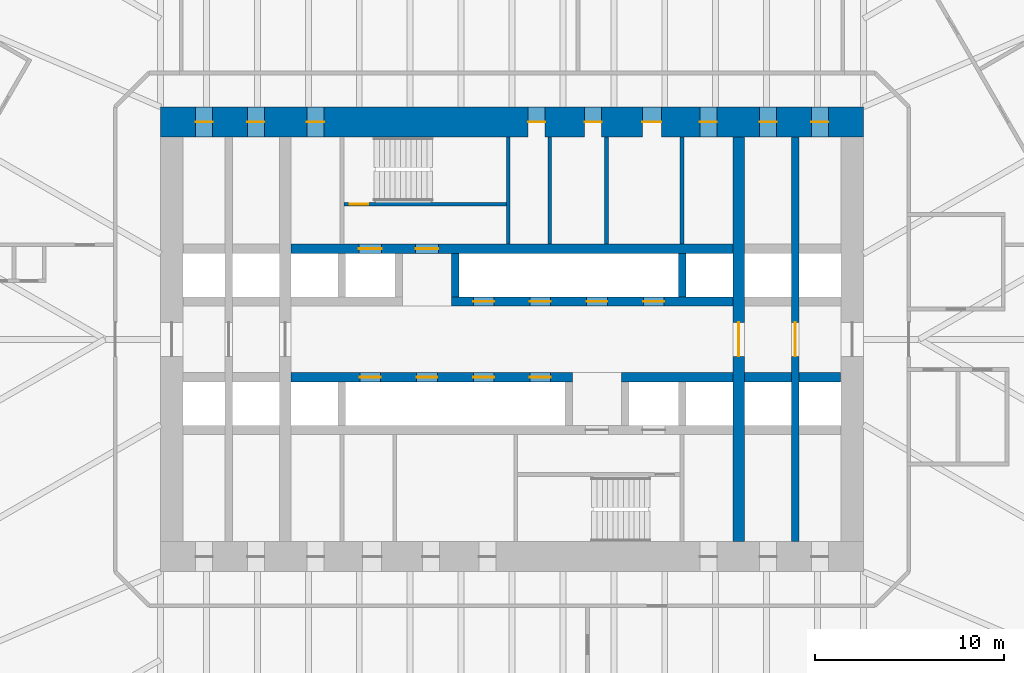
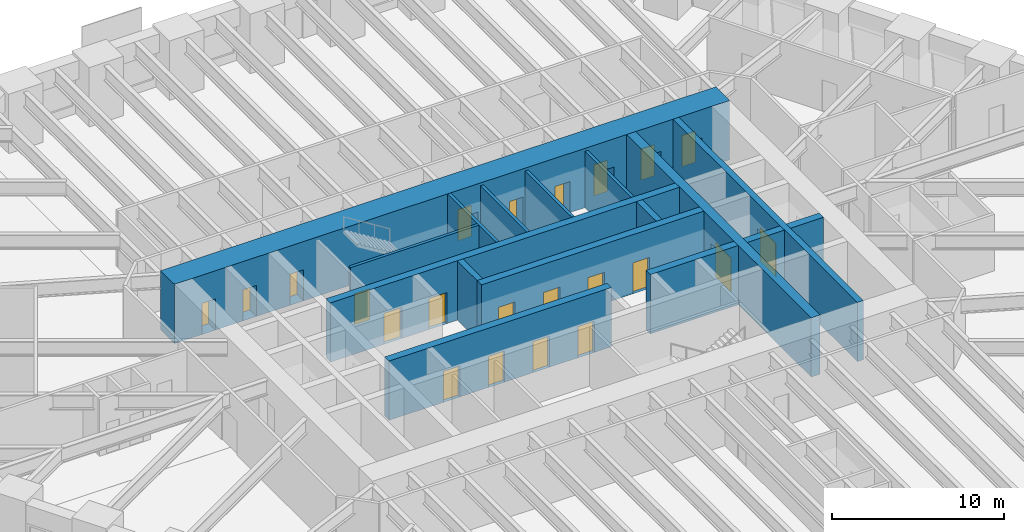
# One storey, part 18 of 23: 22 doors, 16 walls, 22 openings.
"""IFC4 building model written with IfcOpenShell, lengths in metres."""

from ifc_helpers import new_model, si_unit, direction, frame, frame_2d, origin, place, context, subcontext, project, spatial, rectangle, extrude, material, layer, layer_set, type_object, element, fill, save


model = new_model("IFC4")

# Units and contexts
model_context = context("Model", 3, precision=1e-05, world=origin(), true_north=direction((0.0, 1.0)))
body_context = subcontext(model_context, "Body", "Model", "MODEL_VIEW")
ifc_project = project(units=[si_unit("LENGTHUNIT", "METRE"), si_unit("AREAUNIT", "SQUARE_METRE"), si_unit("VOLUMEUNIT", "CUBIC_METRE"), si_unit("PLANEANGLEUNIT", "RADIAN"), si_unit("MASSUNIT", "GRAM", prefix="KILO")], contexts=[model_context])

# Site, building, storey
site_placement = place(None, origin())
site = spatial("IfcSite", under=ifc_project, at=site_placement, CompositionType="ELEMENT")
building_placement = place(site_placement, origin())
building = spatial("IfcBuilding", under=site, at=building_placement, Name="Tarfa Lantern Tower", CompositionType="ELEMENT")
storey_placement = place(building_placement, frame((0.0, 0.0, 40.300048828125)))
storey = spatial("IfcBuildingStorey", under=building, at=storey_placement, Name="L08", CompositionType="ELEMENT", Elevation=40.300048828125)

# Walls
ifc_material_1 = material(Name="Concrete blockwork", Category="masonry")
ifc_layer_1 = layer(ifc_material_1, 0.199951171875)
ifc_layer_set_1 = layer_set([ifc_layer_1], Name="IW1 BLOCKWORK PARTITION 200 EI 120")
wall_type_1 = type_object("IfcWallType", Name="IW1 BLOCKWORK PARTITION 200 EI 120", PredefinedType="PARTITIONING", material=ifc_layer_set_1)
for number, where, z_axis, x_axis, name in (
    (1, (9.0, 5.050048828125, 0.0), (0.0, 0.0, 1.0), (0.0, 1.0, 0.0), "Core partition"),
    (2, (2.0, 5.050048828125, 0.0), (0.0, 0.0, 1.0), (0.0, 1.0, 0.0), "Core partition"),
    (3, (5.0, 5.050048828125, 0.0), (0.0, 0.0, 1.0), (0.0, 1.0, 0.0), "Core partition"),
):
    element("IfcWall", number, at=place(storey_placement, frame(where, z_axis=z_axis, x_axis=x_axis)), inside=storey, type_object=wall_type_1, Name=name, PredefinedType="PARTITIONING", context=body_context, shape_type="SweptSolid", body=[
        extrude(rectangle(XDim=5.64990234375, YDim=0.199951171875, at=frame_2d((2.824951171875, 0.0))), origin(), (0.0, 0.0, 1.0), 4.0),
    ])
ifc_material_2 = material(Name="Concrete C80/95", Category="concrete")
ifc_layer_2 = layer(ifc_material_2, 0.199951171875)
ifc_layer_set_2 = layer_set([ifc_layer_2], Name="SW12 CORE WALL 200")
wall_type_2 = type_object("IfcWallType", Name="SW12 CORE WALL 200", PredefinedType="SHEAR", material=ifc_layer_set_2)
wall_1_placement = place(storey_placement, frame((-0.199951171875, 5.050048828125, 0.0), z_axis=(0.0, 0.0, 1.0), x_axis=(0.0, 1.0, 0.0)))
element("IfcWall", 4, at=wall_1_placement, inside=storey, type_object=wall_type_2, Name="Core wall stair shaft N", PredefinedType="SHEAR", context=body_context, shape_type="SweptSolid", body=[
    extrude(rectangle(XDim=5.64990234375, YDim=0.199951171875, at=frame_2d((2.824951171875, 0.0))), origin(), (0.0, 0.0, 1.0), 4.199951171875),
])

# Wall, opening, door
wall_2_placement = place(storey_placement, frame((-8.89990234375, 7.14990234375, 0.0), z_axis=(0.0, 0.0, 1.0), x_axis=(1.0, 0.0, 0.0)))
wall_2 = element("IfcWall", 5, at=wall_2_placement, inside=storey, type_object=wall_type_2, Name="Core wall stair partition N", PredefinedType="SHEAR", context=body_context, shape_type="SweptSolid", body=[
    extrude(rectangle(XDim=8.599853515625, YDim=0.199951171875, at=frame_2d((4.2998046875, 0.0))), origin(), (0.0, 0.0, 1.0), 4.199951171875),
])
opening_1_placement = place(wall_2_placement, frame((0.300048828125, 0.0, 0.0)))
opening_1 = element("IfcOpeningElement", 6, at=opening_1_placement, cuts=wall_2, Name="Opening D23", PredefinedType="OPENING", context=body_context, shape_type="SweptSolid", body=[
    extrude(rectangle(XDim=1.0, YDim=2.199951171875, at=frame_2d((0.5, 1.10009765625))), frame((0.0, 0.10986328125, 0.0), z_axis=(0.0, -1.0, 0.0), x_axis=(1.0, 0.0, 0.0)), (0.0, 0.0, 1.0), 0.219970703125),
])
ifc_material_3 = material(Name="Steel fire door", Category="steel")
door_type_1 = type_object("IfcDoorType", Name="DF2 STAIR DOOR 1000x2200", OperationType="SINGLE_SWING_LEFT", PredefinedType="DOOR", material=ifc_material_3)
door_1_placement = place(opening_1_placement, origin())
door_1 = element("IfcDoor", 7, at=door_1_placement, inside=storey, type_object=door_type_1, Name="Stair door", OperationType="SINGLE_SWING_RIGHT", OverallHeight=2.199951171875, OverallWidth=1.0, PredefinedType="DOOR", context=body_context, shape_type="SweptSolid", body=[
    extrude(rectangle(XDim=1.0, YDim=2.199951171875, at=frame_2d((0.5, 1.10009765625))), frame((0.0, 0.02490234375, 0.0), z_axis=(0.0, -1.0, 0.0), x_axis=(1.0, 0.0, 0.0)), (0.0, 0.0, 1.0), 0.050048828125),
])
fill(opening_1, door_1)

# Wall, openings, doors
ifc_layer_3 = layer(ifc_material_2, 0.5)
ifc_layer_set_3 = layer_set([ifc_layer_3], Name="SW5 CORE WALL 500")
wall_type_3 = type_object("IfcWallType", Name="SW5 CORE WALL 500", PredefinedType="SHEAR", material=ifc_layer_set_3)
wall_3_placement = place(storey_placement, frame((-3.199951171875, 2.0, 0.0), z_axis=(0.0, 0.0, 1.0), x_axis=(1.0, 0.0, 0.0)))
wall_3 = element("IfcWall", 8, at=wall_3_placement, inside=storey, type_object=wall_type_3, Name="Core wall lobby east N", PredefinedType="SHEAR", context=body_context, shape_type="SweptSolid", body=[
    extrude(rectangle(XDim=14.89990234375, YDim=0.5, at=frame_2d((7.449951171875, 0.0))), origin(), (0.0, 0.0, 1.0), 4.199951171875),
])
opening_2_placement = place(wall_3_placement, frame((1.14990234375, 0.0, 0.0)))
opening_2 = element("IfcOpeningElement", 9, at=opening_2_placement, cuts=wall_3, Name="Opening LD03", PredefinedType="OPENING", context=body_context, shape_type="SweptSolid", body=[
    extrude(rectangle(XDim=1.10009765625, YDim=2.199951171875, at=frame_2d((0.550048828125, 1.10009765625))), frame((0.0, 0.260009765625, 0.0), z_axis=(0.0, -1.0, 0.0), x_axis=(1.0, 0.0, 0.0)), (0.0, 0.0, 1.0), 0.52001953125),
])
opening_3_placement = place(wall_3_placement, frame((4.14990234375, 0.0, 0.0)))
opening_3 = element("IfcOpeningElement", 10, at=opening_3_placement, cuts=wall_3, Name="Opening LD04", PredefinedType="OPENING", context=body_context, shape_type="SweptSolid", body=[
    extrude(rectangle(XDim=1.10009765625, YDim=2.199951171875, at=frame_2d((0.550048828125, 1.10009765625))), frame((0.0, 0.260009765625, 0.0), z_axis=(0.0, -1.0, 0.0), x_axis=(1.0, 0.0, 0.0)), (0.0, 0.0, 1.0), 0.52001953125),
])
opening_4_placement = place(wall_3_placement, frame((7.14990234375, 0.0, 0.0)))
opening_4 = element("IfcOpeningElement", 11, at=opening_4_placement, cuts=wall_3, Name="Opening LD05", PredefinedType="OPENING", context=body_context, shape_type="SweptSolid", body=[
    extrude(rectangle(XDim=1.10009765625, YDim=2.199951171875, at=frame_2d((0.550048828125, 1.10009765625))), frame((0.0, 0.260009765625, 0.0), z_axis=(0.0, -1.0, 0.0), x_axis=(1.0, 0.0, 0.0)), (0.0, 0.0, 1.0), 0.52001953125),
])
opening_5_placement = place(wall_3_placement, frame((10.14990234375, 0.0, 0.0)))
opening_5 = element("IfcOpeningElement", 12, at=opening_5_placement, cuts=wall_3, Name="Opening LD06", PredefinedType="OPENING", context=body_context, shape_type="SweptSolid", body=[
    extrude(rectangle(XDim=1.10009765625, YDim=2.199951171875, at=frame_2d((0.550048828125, 1.10009765625))), frame((0.0, 0.260009765625, 0.0), z_axis=(0.0, -1.0, 0.0), x_axis=(1.0, 0.0, 0.0)), (0.0, 0.0, 1.0), 0.52001953125),
])
ifc_material_4 = material(Name="Stainless steel lift door", Category="steel")
door_type_2 = type_object("IfcDoorType", Name="LD2 LIFT LANDING DOOR 1100x2200", OperationType="SLIDING_TO_LEFT", PredefinedType="DOOR", material=ifc_material_4)
door_2_placement = place(opening_2_placement, frame((1.10009765625, 0.0, 0.0), z_axis=(0.0, 0.0, 1.0), x_axis=(-1.0, 0.0, 0.0)))
door_2 = element("IfcDoor", 13, at=door_2_placement, inside=storey, type_object=door_type_2, Name="Landing door PA1", OperationType="SLIDING_TO_LEFT", OverallHeight=2.199951171875, OverallWidth=1.10009765625, PredefinedType="DOOR", context=body_context, shape_type="SweptSolid", body=[
    extrude(rectangle(XDim=1.10009765625, YDim=2.199951171875, at=frame_2d((0.550048828125, 1.10009765625))), frame((0.0, 0.02490234375, 0.0), z_axis=(0.0, -1.0, 0.0), x_axis=(1.0, 0.0, 0.0)), (0.0, 0.0, 1.0), 0.050048828125),
])
fill(opening_2, door_2)
door_3_placement = place(opening_3_placement, frame((1.10009765625, 0.0, 0.0), z_axis=(0.0, 0.0, 1.0), x_axis=(-1.0, 0.0, 0.0)))
door_3 = element("IfcDoor", 14, at=door_3_placement, inside=storey, type_object=door_type_2, Name="Landing door PA2", OperationType="SLIDING_TO_LEFT", OverallHeight=2.199951171875, OverallWidth=1.10009765625, PredefinedType="DOOR", context=body_context, shape_type="SweptSolid", body=[
    extrude(rectangle(XDim=1.10009765625, YDim=2.199951171875, at=frame_2d((0.550048828125, 1.10009765625))), frame((0.0, 0.02490234375, 0.0), z_axis=(0.0, -1.0, 0.0), x_axis=(1.0, 0.0, 0.0)), (0.0, 0.0, 1.0), 0.050048828125),
])
fill(opening_3, door_3)
door_4_placement = place(opening_4_placement, frame((1.10009765625, 0.0, 0.0), z_axis=(0.0, 0.0, 1.0), x_axis=(-1.0, 0.0, 0.0)))
door_4 = element("IfcDoor", 15, at=door_4_placement, inside=storey, type_object=door_type_2, Name="Landing door PA3", OperationType="SLIDING_TO_LEFT", OverallHeight=2.199951171875, OverallWidth=1.10009765625, PredefinedType="DOOR", context=body_context, shape_type="SweptSolid", body=[
    extrude(rectangle(XDim=1.10009765625, YDim=2.199951171875, at=frame_2d((0.550048828125, 1.10009765625))), frame((0.0, 0.02490234375, 0.0), z_axis=(0.0, -1.0, 0.0), x_axis=(1.0, 0.0, 0.0)), (0.0, 0.0, 1.0), 0.050048828125),
])
fill(opening_4, door_4)
door_5_placement = place(opening_5_placement, frame((1.10009765625, 0.0, 0.0), z_axis=(0.0, 0.0, 1.0), x_axis=(-1.0, 0.0, 0.0)))
door_5 = element("IfcDoor", 16, at=door_5_placement, inside=storey, type_object=door_type_2, Name="Landing door PA4", OperationType="SLIDING_TO_LEFT", OverallHeight=2.199951171875, OverallWidth=1.10009765625, PredefinedType="DOOR", context=body_context, shape_type="SweptSolid", body=[
    extrude(rectangle(XDim=1.10009765625, YDim=2.199951171875, at=frame_2d((0.550048828125, 1.10009765625))), frame((0.0, 0.02490234375, 0.0), z_axis=(0.0, -1.0, 0.0), x_axis=(1.0, 0.0, 0.0)), (0.0, 0.0, 1.0), 0.050048828125),
])
fill(opening_5, door_5)

wall_4_placement = place(storey_placement, frame((-11.699951171875, 4.800048828125, 0.0), z_axis=(0.0, 0.0, 1.0), x_axis=(1.0, 0.0, 0.0)))
wall_4 = element("IfcWall", 17, at=wall_4_placement, inside=storey, type_object=wall_type_3, Name="Core wall rear N", PredefinedType="SHEAR", context=body_context, shape_type="SweptSolid", body=[
    extrude(rectangle(XDim=23.39990234375, YDim=0.5, at=frame_2d((11.699951171875, 0.0))), origin(), (0.0, 0.0, 1.0), 4.199951171875),
])
opening_6_placement = place(wall_4_placement, frame((6.60009765625, 0.0, 0.0)))
opening_6 = element("IfcOpeningElement", 18, at=opening_6_placement, cuts=wall_4, Name="Opening D13", PredefinedType="OPENING", context=body_context, shape_type="SweptSolid", body=[
    extrude(rectangle(XDim=1.199951171875, YDim=2.199951171875, at=frame_2d((0.60009765625, 1.10009765625))), frame((0.0, 0.260009765625, 0.0), z_axis=(0.0, -1.0, 0.0), x_axis=(1.0, 0.0, 0.0)), (0.0, 0.0, 1.0), 0.52001953125),
])
opening_7_placement = place(wall_4_placement, frame((3.60009765625, 0.0, 0.0)))
opening_7 = element("IfcOpeningElement", 19, at=opening_7_placement, cuts=wall_4, Name="Opening LD01", PredefinedType="OPENING", context=body_context, shape_type="SweptSolid", body=[
    extrude(rectangle(XDim=1.199951171875, YDim=2.199951171875, at=frame_2d((0.60009765625, 1.10009765625))), frame((0.0, 0.260009765625, 0.0), z_axis=(0.0, -1.0, 0.0), x_axis=(1.0, 0.0, 0.0)), (0.0, 0.0, 1.0), 0.52001953125),
])
door_type_3 = type_object("IfcDoorType", Name="DF1 FIREFIGHTING LOBBY DOOR 1200x2200", OperationType="SINGLE_SWING_LEFT", PredefinedType="DOOR", material=ifc_material_3)
door_6_placement = place(opening_6_placement, origin())
door_6 = element("IfcDoor", 20, at=door_6_placement, inside=storey, type_object=door_type_3, Name="Firefighting lobby door", OperationType="SINGLE_SWING_LEFT", OverallHeight=2.199951171875, OverallWidth=1.199951171875, PredefinedType="DOOR", context=body_context, shape_type="SweptSolid", body=[
    extrude(rectangle(XDim=1.199951171875, YDim=2.199951171875, at=frame_2d((0.60009765625, 1.10009765625))), frame((0.0, 0.02490234375, 0.0), z_axis=(0.0, -1.0, 0.0), x_axis=(1.0, 0.0, 0.0)), (0.0, 0.0, 1.0), 0.050048828125),
])
fill(opening_6, door_6)
door_type_4 = type_object("IfcDoorType", Name="LD1 LIFT LANDING DOOR 1200x2200", OperationType="SLIDING_TO_LEFT", PredefinedType="DOOR", material=ifc_material_4)
door_7_placement = place(opening_7_placement, origin())
door_7 = element("IfcDoor", 21, at=door_7_placement, inside=storey, type_object=door_type_4, Name="Landing door FL1", OperationType="SLIDING_TO_LEFT", OverallHeight=2.199951171875, OverallWidth=1.199951171875, PredefinedType="DOOR", context=body_context, shape_type="SweptSolid", body=[
    extrude(rectangle(XDim=1.199951171875, YDim=2.199951171875, at=frame_2d((0.60009765625, 1.10009765625))), frame((0.0, 0.02490234375, 0.0), z_axis=(0.0, -1.0, 0.0), x_axis=(1.0, 0.0, 0.0)), (0.0, 0.0, 1.0), 0.050048828125),
])
fill(opening_7, door_7)

# Walls
wall_5_placement = place(storey_placement, frame((17.39990234375, -2.0, 0.0), z_axis=(0.0, 0.0, 1.0), x_axis=(-1.0, 0.0, 0.0)))
element("IfcWall", 22, at=wall_5_placement, inside=storey, type_object=wall_type_3, Name="Core wall lobby west S", PredefinedType="SHEAR", context=body_context, shape_type="SweptSolid", body=[
    extrude(rectangle(XDim=2.199951171875, YDim=0.5, at=frame_2d((1.10009765625, 0.0))), origin(), (0.0, 0.0, 1.0), 4.199951171875),
])
wall_6_placement = place(storey_placement, frame((14.800048828125, -2.0, 0.0), z_axis=(0.0, 0.0, 1.0), x_axis=(-1.0, 0.0, 0.0)))
element("IfcWall", 23, at=wall_6_placement, inside=storey, type_object=wall_type_3, Name="Core wall lobby west S", PredefinedType="SHEAR", context=body_context, shape_type="SweptSolid", body=[
    extrude(rectangle(XDim=2.5, YDim=0.5, at=frame_2d((1.25, 0.0))), origin(), (0.0, 0.0, 1.0), 4.199951171875),
])
wall_7_placement = place(storey_placement, frame((11.699951171875, -2.0, 0.0), z_axis=(0.0, 0.0, 1.0), x_axis=(-1.0, 0.0, 0.0)))
element("IfcWall", 24, at=wall_7_placement, inside=storey, type_object=wall_type_3, Name="Core wall lobby west S", PredefinedType="SHEAR", context=body_context, shape_type="SweptSolid", body=[
    extrude(rectangle(XDim=5.89990234375, YDim=0.5, at=frame_2d((2.949951171875, 0.0))), origin(), (0.0, 0.0, 1.0), 4.199951171875),
])

# Wall, openings, doors
wall_8_placement = place(storey_placement, frame((3.199951171875, -2.0, 0.0), z_axis=(0.0, 0.0, 1.0), x_axis=(-1.0, 0.0, 0.0)))
wall_8 = element("IfcWall", 25, at=wall_8_placement, inside=storey, type_object=wall_type_3, Name="Core wall lobby east S", PredefinedType="SHEAR", context=body_context, shape_type="SweptSolid", body=[
    extrude(rectangle(XDim=14.89990234375, YDim=0.5, at=frame_2d((7.449951171875, 0.0))), origin(), (0.0, 0.0, 1.0), 4.199951171875),
])
opening_8_placement = place(wall_8_placement, frame((1.14990234375, 0.0, 0.0)))
opening_8 = element("IfcOpeningElement", 26, at=opening_8_placement, cuts=wall_8, Name="Opening LD07", PredefinedType="OPENING", context=body_context, shape_type="SweptSolid", body=[
    extrude(rectangle(XDim=1.10009765625, YDim=2.199951171875, at=frame_2d((0.550048828125, 1.10009765625))), frame((0.0, 0.260009765625, 0.0), z_axis=(0.0, -1.0, 0.0), x_axis=(1.0, 0.0, 0.0)), (0.0, 0.0, 1.0), 0.52001953125),
])
opening_9_placement = place(wall_8_placement, frame((4.14990234375, 0.0, 0.0)))
opening_9 = element("IfcOpeningElement", 27, at=opening_9_placement, cuts=wall_8, Name="Opening LD08", PredefinedType="OPENING", context=body_context, shape_type="SweptSolid", body=[
    extrude(rectangle(XDim=1.10009765625, YDim=2.199951171875, at=frame_2d((0.550048828125, 1.10009765625))), frame((0.0, 0.260009765625, 0.0), z_axis=(0.0, -1.0, 0.0), x_axis=(1.0, 0.0, 0.0)), (0.0, 0.0, 1.0), 0.52001953125),
])
opening_10_placement = place(wall_8_placement, frame((7.14990234375, 0.0, 0.0)))
opening_10 = element("IfcOpeningElement", 28, at=opening_10_placement, cuts=wall_8, Name="Opening LD09", PredefinedType="OPENING", context=body_context, shape_type="SweptSolid", body=[
    extrude(rectangle(XDim=1.10009765625, YDim=2.199951171875, at=frame_2d((0.550048828125, 1.10009765625))), frame((0.0, 0.260009765625, 0.0), z_axis=(0.0, -1.0, 0.0), x_axis=(1.0, 0.0, 0.0)), (0.0, 0.0, 1.0), 0.52001953125),
])
opening_11_placement = place(wall_8_placement, frame((10.14990234375, 0.0, 0.0)))
opening_11 = element("IfcOpeningElement", 29, at=opening_11_placement, cuts=wall_8, Name="Opening LD10", PredefinedType="OPENING", context=body_context, shape_type="SweptSolid", body=[
    extrude(rectangle(XDim=1.10009765625, YDim=2.199951171875, at=frame_2d((0.550048828125, 1.10009765625))), frame((0.0, 0.260009765625, 0.0), z_axis=(0.0, -1.0, 0.0), x_axis=(1.0, 0.0, 0.0)), (0.0, 0.0, 1.0), 0.52001953125),
])
door_8_placement = place(opening_8_placement, frame((1.10009765625, 0.0, 0.0), z_axis=(0.0, 0.0, 1.0), x_axis=(-1.0, 0.0, 0.0)))
door_8 = element("IfcDoor", 30, at=door_8_placement, inside=storey, type_object=door_type_2, Name="Landing door PA5", OperationType="SLIDING_TO_LEFT", OverallHeight=2.199951171875, OverallWidth=1.10009765625, PredefinedType="DOOR", context=body_context, shape_type="SweptSolid", body=[
    extrude(rectangle(XDim=1.10009765625, YDim=2.199951171875, at=frame_2d((0.550048828125, 1.10009765625))), frame((0.0, 0.02490234375, 0.0), z_axis=(0.0, -1.0, 0.0), x_axis=(1.0, 0.0, 0.0)), (0.0, 0.0, 1.0), 0.050048828125),
])
fill(opening_8, door_8)
door_9_placement = place(opening_9_placement, frame((1.10009765625, 0.0, 0.0), z_axis=(0.0, 0.0, 1.0), x_axis=(-1.0, 0.0, 0.0)))
door_9 = element("IfcDoor", 31, at=door_9_placement, inside=storey, type_object=door_type_2, Name="Landing door PA6", OperationType="SLIDING_TO_LEFT", OverallHeight=2.199951171875, OverallWidth=1.10009765625, PredefinedType="DOOR", context=body_context, shape_type="SweptSolid", body=[
    extrude(rectangle(XDim=1.10009765625, YDim=2.199951171875, at=frame_2d((0.550048828125, 1.10009765625))), frame((0.0, 0.02490234375, 0.0), z_axis=(0.0, -1.0, 0.0), x_axis=(1.0, 0.0, 0.0)), (0.0, 0.0, 1.0), 0.050048828125),
])
fill(opening_9, door_9)
door_10_placement = place(opening_10_placement, frame((1.10009765625, 0.0, 0.0), z_axis=(0.0, 0.0, 1.0), x_axis=(-1.0, 0.0, 0.0)))
door_10 = element("IfcDoor", 32, at=door_10_placement, inside=storey, type_object=door_type_2, Name="Landing door PA7", OperationType="SLIDING_TO_LEFT", OverallHeight=2.199951171875, OverallWidth=1.10009765625, PredefinedType="DOOR", context=body_context, shape_type="SweptSolid", body=[
    extrude(rectangle(XDim=1.10009765625, YDim=2.199951171875, at=frame_2d((0.550048828125, 1.10009765625))), frame((0.0, 0.02490234375, 0.0), z_axis=(0.0, -1.0, 0.0), x_axis=(1.0, 0.0, 0.0)), (0.0, 0.0, 1.0), 0.050048828125),
])
fill(opening_10, door_10)
door_11_placement = place(opening_11_placement, frame((1.10009765625, 0.0, 0.0), z_axis=(0.0, 0.0, 1.0), x_axis=(-1.0, 0.0, 0.0)))
door_11 = element("IfcDoor", 33, at=door_11_placement, inside=storey, type_object=door_type_2, Name="Landing door PA8", OperationType="SLIDING_TO_LEFT", OverallHeight=2.199951171875, OverallWidth=1.10009765625, PredefinedType="DOOR", context=body_context, shape_type="SweptSolid", body=[
    extrude(rectangle(XDim=1.10009765625, YDim=2.199951171875, at=frame_2d((0.550048828125, 1.10009765625))), frame((0.0, 0.02490234375, 0.0), z_axis=(0.0, -1.0, 0.0), x_axis=(1.0, 0.0, 0.0)), (0.0, 0.0, 1.0), 0.050048828125),
])
fill(opening_11, door_11)

# Wall, opening, door
ifc_layer_4 = layer(ifc_material_2, 0.39990234375)
ifc_layer_set_4 = layer_set([ifc_layer_4], Name="SW6 CORE WALL 400")
wall_type_4 = type_object("IfcWallType", Name="SW6 CORE WALL 400", PredefinedType="SHEAR", material=ifc_layer_set_4)
wall_9_placement = place(storey_placement, frame((15.0, -10.699951171875, 0.0), z_axis=(0.0, 0.0, 1.0), x_axis=(0.0, 1.0, 0.0)))
wall_9 = element("IfcWall", 34, at=wall_9_placement, inside=storey, type_object=wall_type_4, Name="Core wall cross 15 m east", PredefinedType="SHEAR", context=body_context, shape_type="SweptSolid", body=[
    extrude(rectangle(XDim=21.39990234375, YDim=0.39990234375, at=frame_2d((10.699951171875, 0.0))), origin(), (0.0, 0.0, 1.0), 4.199951171875),
])
opening_12_placement = place(wall_9_placement, frame((9.800048828125, 0.0, 0.0)))
opening_12 = element("IfcOpeningElement", 35, at=opening_12_placement, cuts=wall_9, Name="Opening D26", PredefinedType="OPENING", context=body_context, shape_type="SweptSolid", body=[
    extrude(rectangle(XDim=1.800048828125, YDim=2.39990234375, at=frame_2d((0.89990234375, 1.199951171875))), frame((0.0, 0.2099609375, 0.0), z_axis=(0.0, -1.0, 0.0), x_axis=(1.0, 0.0, 0.0)), (0.0, 0.0, 1.0), 0.419921875),
])
door_type_5 = type_object("IfcDoorType", Name="DL1 LOBBY DOOR 1800x2400", OperationType="DOUBLE_DOOR_SINGLE_SWING", PredefinedType="DOOR", material=ifc_material_3)
door_12_placement = place(opening_12_placement, origin())
door_12 = element("IfcDoor", 36, at=door_12_placement, inside=storey, type_object=door_type_5, Name="Lift lobby door", OperationType="DOUBLE_DOOR_SINGLE_SWING", OverallHeight=2.39990234375, OverallWidth=1.800048828125, PredefinedType="DOOR", context=body_context, shape_type="SweptSolid", body=[
    extrude(rectangle(XDim=1.800048828125, YDim=2.39990234375, at=frame_2d((0.89990234375, 1.199951171875))), frame((0.0, 0.02490234375, 0.0), z_axis=(0.0, -1.0, 0.0), x_axis=(1.0, 0.0, 0.0)), (0.0, 0.0, 1.0), 0.050048828125),
])
fill(opening_12, door_12)

# Walls
for number, where, z_axis, x_axis, name in (
    (37, (-3.0, 2.25, 0.0), (0.0, 0.0, 1.0), (0.0, 1.0, 0.0), "Core wall divider N"),
    (38, (9.0, 2.25, 0.0), (0.0, 0.0, 1.0), (0.0, 1.0, 0.0), "Core wall divider N"),
):
    element("IfcWall", number, at=place(storey_placement, frame(where, z_axis=z_axis, x_axis=x_axis)), inside=storey, type_object=wall_type_4, Name=name, PredefinedType="SHEAR", context=body_context, shape_type="SweptSolid", body=[
        extrude(rectangle(XDim=2.300048828125, YDim=0.39990234375, at=frame_2d((1.14990234375, 0.0))), origin(), (0.0, 0.0, 1.0), 4.199951171875),
    ])

# Wall, openings, doors
ifc_layer_5 = layer(ifc_material_2, 1.60009765625)
ifc_layer_set_5 = layer_set([ifc_layer_5], Name="SW7 CORE WALL 1600")
wall_type_5 = type_object("IfcWallType", Name="SW7 CORE WALL 1600", PredefinedType="SHEAR", material=ifc_layer_set_5)
wall_10_placement = place(storey_placement, frame((-18.60009765625, 11.5, 0.0), z_axis=(0.0, 0.0, 1.0), x_axis=(1.0, 0.0, 0.0)))
wall_10 = element("IfcWall", 39, at=wall_10_placement, inside=storey, type_object=wall_type_5, Name="Core wall N", PredefinedType="SHEAR", context=body_context, shape_type="SweptSolid", body=[
    extrude(rectangle(XDim=37.2001953125, YDim=1.60009765625, at=frame_2d((18.60009765625, 0.0))), origin(), (0.0, 0.0, 1.0), 4.199951171875),
])
opening_13_placement = place(wall_10_placement, frame((19.449951171875, 0.0, 0.0)))
opening_13 = element("IfcOpeningElement", 40, at=opening_13_placement, cuts=wall_10, Name="Opening D17", PredefinedType="OPENING", context=body_context, shape_type="SweptSolid", body=[
    extrude(rectangle(XDim=0.89990234375, YDim=2.199951171875, at=frame_2d((0.449951171875, 1.10009765625))), frame((0.0, 0.81005859375, 0.0), z_axis=(0.0, -1.0, 0.0), x_axis=(1.0, 0.0, 0.0)), (0.0, 0.0, 1.0), 1.6201171875),
])
opening_14_placement = place(wall_10_placement, frame((22.449951171875, 0.0, 0.0)))
opening_14 = element("IfcOpeningElement", 41, at=opening_14_placement, cuts=wall_10, Name="Opening D19", PredefinedType="OPENING", context=body_context, shape_type="SweptSolid", body=[
    extrude(rectangle(XDim=0.89990234375, YDim=2.199951171875, at=frame_2d((0.449951171875, 1.10009765625))), frame((0.0, 0.81005859375, 0.0), z_axis=(0.0, -1.0, 0.0), x_axis=(1.0, 0.0, 0.0)), (0.0, 0.0, 1.0), 1.6201171875),
])
opening_15_placement = place(wall_10_placement, frame((25.5, 0.0, 0.0)))
opening_15 = element("IfcOpeningElement", 42, at=opening_15_placement, cuts=wall_10, Name="Opening D21", PredefinedType="OPENING", context=body_context, shape_type="SweptSolid", body=[
    extrude(rectangle(XDim=1.0, YDim=2.199951171875, at=frame_2d((0.5, 1.10009765625))), frame((0.0, 0.81005859375, 0.0), z_axis=(0.0, -1.0, 0.0), x_axis=(1.0, 0.0, 0.0)), (0.0, 0.0, 1.0), 1.6201171875),
])
opening_16_placement = place(wall_10_placement, frame((1.85009765625, 0.0, 0.0)))
opening_16 = element("IfcOpeningElement", 43, at=opening_16_placement, cuts=wall_10, Name="Opening D11", PredefinedType="OPENING", context=body_context, shape_type="SweptSolid", body=[
    extrude(rectangle(XDim=0.89990234375, YDim=2.199951171875, at=frame_2d((0.449951171875, 1.10009765625))), frame((0.0, 0.81005859375, 0.0), z_axis=(0.0, -1.0, 0.0), x_axis=(1.0, 0.0, 0.0)), (0.0, 0.0, 1.0), 1.6201171875),
])
opening_17_placement = place(wall_10_placement, frame((4.60009765625, 0.0, 0.0)))
opening_17 = element("IfcOpeningElement", 44, at=opening_17_placement, cuts=wall_10, Name="Opening D07", PredefinedType="OPENING", context=body_context, shape_type="SweptSolid", body=[
    extrude(rectangle(XDim=0.89990234375, YDim=2.199951171875, at=frame_2d((0.449951171875, 1.10009765625))), frame((0.0, 0.81005859375, 0.0), z_axis=(0.0, -1.0, 0.0), x_axis=(1.0, 0.0, 0.0)), (0.0, 0.0, 1.0), 1.6201171875),
])
opening_18_placement = place(wall_10_placement, frame((7.75, 0.0, 0.0)))
opening_18 = element("IfcOpeningElement", 45, at=opening_18_placement, cuts=wall_10, Name="Opening D09", PredefinedType="OPENING", context=body_context, shape_type="SweptSolid", body=[
    extrude(rectangle(XDim=0.89990234375, YDim=2.199951171875, at=frame_2d((0.449951171875, 1.10009765625))), frame((0.0, 0.81005859375, 0.0), z_axis=(0.0, -1.0, 0.0), x_axis=(1.0, 0.0, 0.0)), (0.0, 0.0, 1.0), 1.6201171875),
])
opening_19_placement = place(wall_10_placement, frame((28.550048828125, 0.0, 0.0)))
opening_19 = element("IfcOpeningElement", 46, at=opening_19_placement, cuts=wall_10, Name="Opening D05", PredefinedType="OPENING", context=body_context, shape_type="SweptSolid", body=[
    extrude(rectangle(XDim=0.89990234375, YDim=2.199951171875, at=frame_2d((0.449951171875, 1.10009765625))), frame((0.0, 0.81005859375, 0.0), z_axis=(0.0, -1.0, 0.0), x_axis=(1.0, 0.0, 0.0)), (0.0, 0.0, 1.0), 1.6201171875),
])
opening_20_placement = place(wall_10_placement, frame((31.699951171875, 0.0, 0.0)))
opening_20 = element("IfcOpeningElement", 47, at=opening_20_placement, cuts=wall_10, Name="Opening D01", PredefinedType="OPENING", context=body_context, shape_type="SweptSolid", body=[
    extrude(rectangle(XDim=0.89990234375, YDim=2.199951171875, at=frame_2d((0.449951171875, 1.10009765625))), frame((0.0, 0.81005859375, 0.0), z_axis=(0.0, -1.0, 0.0), x_axis=(1.0, 0.0, 0.0)), (0.0, 0.0, 1.0), 1.6201171875),
])
opening_21_placement = place(wall_10_placement, frame((34.449951171875, 0.0, 0.0)))
opening_21 = element("IfcOpeningElement", 48, at=opening_21_placement, cuts=wall_10, Name="Opening D03", PredefinedType="OPENING", context=body_context, shape_type="SweptSolid", body=[
    extrude(rectangle(XDim=0.89990234375, YDim=2.199951171875, at=frame_2d((0.449951171875, 1.10009765625))), frame((0.0, 0.81005859375, 0.0), z_axis=(0.0, -1.0, 0.0), x_axis=(1.0, 0.0, 0.0)), (0.0, 0.0, 1.0), 1.6201171875),
])
door_type_6 = type_object("IfcDoorType", Name="DF3 CORE ROOM DOOR 900x2200", OperationType="SINGLE_SWING_LEFT", PredefinedType="DOOR", material=ifc_material_3)
door_13_placement = place(opening_13_placement, frame((0.89990234375, 0.0, 0.0), z_axis=(0.0, 0.0, 1.0), x_axis=(-1.0, 0.0, 0.0)))
door_13 = element("IfcDoor", 49, at=door_13_placement, inside=storey, type_object=door_type_6, Name="Core door", OperationType="SINGLE_SWING_RIGHT", OverallHeight=2.199951171875, OverallWidth=0.89990234375, PredefinedType="DOOR", context=body_context, shape_type="SweptSolid", body=[
    extrude(rectangle(XDim=0.89990234375, YDim=2.199951171875, at=frame_2d((0.449951171875, 1.10009765625))), frame((0.0, 0.02490234375, 0.0), z_axis=(0.0, -1.0, 0.0), x_axis=(1.0, 0.0, 0.0)), (0.0, 0.0, 1.0), 0.050048828125),
])
fill(opening_13, door_13)
door_14_placement = place(opening_14_placement, frame((0.89990234375, 0.0, 0.0), z_axis=(0.0, 0.0, 1.0), x_axis=(-1.0, 0.0, 0.0)))
door_14 = element("IfcDoor", 50, at=door_14_placement, inside=storey, type_object=door_type_6, Name="Core door", OperationType="SINGLE_SWING_RIGHT", OverallHeight=2.199951171875, OverallWidth=0.89990234375, PredefinedType="DOOR", context=body_context, shape_type="SweptSolid", body=[
    extrude(rectangle(XDim=0.89990234375, YDim=2.199951171875, at=frame_2d((0.449951171875, 1.10009765625))), frame((0.0, 0.02490234375, 0.0), z_axis=(0.0, -1.0, 0.0), x_axis=(1.0, 0.0, 0.0)), (0.0, 0.0, 1.0), 0.050048828125),
])
fill(opening_14, door_14)
door_type_7 = type_object("IfcDoorType", Name="DF4 CORE ROOM DOOR 1000x2200", OperationType="SINGLE_SWING_LEFT", PredefinedType="DOOR", material=ifc_material_3)
door_15_placement = place(opening_15_placement, frame((1.0, 0.0, 0.0), z_axis=(0.0, 0.0, 1.0), x_axis=(-1.0, 0.0, 0.0)))
door_15 = element("IfcDoor", 51, at=door_15_placement, inside=storey, type_object=door_type_7, Name="Core door", OperationType="SINGLE_SWING_RIGHT", OverallHeight=2.199951171875, OverallWidth=1.0, PredefinedType="DOOR", context=body_context, shape_type="SweptSolid", body=[
    extrude(rectangle(XDim=1.0, YDim=2.199951171875, at=frame_2d((0.5, 1.10009765625))), frame((0.0, 0.02490234375, 0.0), z_axis=(0.0, -1.0, 0.0), x_axis=(1.0, 0.0, 0.0)), (0.0, 0.0, 1.0), 0.050048828125),
])
fill(opening_15, door_15)
door_type_8 = type_object("IfcDoorType", Name="DF5 RISER DOOR 900x2200", OperationType="SINGLE_SWING_LEFT", PredefinedType="DOOR", material=ifc_material_3)
door_16_placement = place(opening_16_placement, frame((0.89990234375, 0.0, 0.0), z_axis=(0.0, 0.0, 1.0), x_axis=(-1.0, 0.0, 0.0)))
door_16 = element("IfcDoor", 52, at=door_16_placement, inside=storey, type_object=door_type_8, Name="Riser door", OperationType="SINGLE_SWING_LEFT", OverallHeight=2.199951171875, OverallWidth=0.89990234375, PredefinedType="DOOR", context=body_context, shape_type="SweptSolid", body=[
    extrude(rectangle(XDim=0.89990234375, YDim=2.199951171875, at=frame_2d((0.449951171875, 1.10009765625))), frame((0.0, 0.02490234375, 0.0), z_axis=(0.0, -1.0, 0.0), x_axis=(1.0, 0.0, 0.0)), (0.0, 0.0, 1.0), 0.050048828125),
])
fill(opening_16, door_16)
door_17_placement = place(opening_17_placement, frame((0.89990234375, 0.0, 0.0), z_axis=(0.0, 0.0, 1.0), x_axis=(-1.0, 0.0, 0.0)))
door_17 = element("IfcDoor", 53, at=door_17_placement, inside=storey, type_object=door_type_8, Name="Riser door", OperationType="SINGLE_SWING_LEFT", OverallHeight=2.199951171875, OverallWidth=0.89990234375, PredefinedType="DOOR", context=body_context, shape_type="SweptSolid", body=[
    extrude(rectangle(XDim=0.89990234375, YDim=2.199951171875, at=frame_2d((0.449951171875, 1.10009765625))), frame((0.0, 0.02490234375, 0.0), z_axis=(0.0, -1.0, 0.0), x_axis=(1.0, 0.0, 0.0)), (0.0, 0.0, 1.0), 0.050048828125),
])
fill(opening_17, door_17)
door_18_placement = place(opening_18_placement, frame((0.89990234375, 0.0, 0.0), z_axis=(0.0, 0.0, 1.0), x_axis=(-1.0, 0.0, 0.0)))
door_18 = element("IfcDoor", 54, at=door_18_placement, inside=storey, type_object=door_type_8, Name="Riser door", OperationType="SINGLE_SWING_LEFT", OverallHeight=2.199951171875, OverallWidth=0.89990234375, PredefinedType="DOOR", context=body_context, shape_type="SweptSolid", body=[
    extrude(rectangle(XDim=0.89990234375, YDim=2.199951171875, at=frame_2d((0.449951171875, 1.10009765625))), frame((0.0, 0.02490234375, 0.0), z_axis=(0.0, -1.0, 0.0), x_axis=(1.0, 0.0, 0.0)), (0.0, 0.0, 1.0), 0.050048828125),
])
fill(opening_18, door_18)
door_19_placement = place(opening_19_placement, frame((0.89990234375, 0.0, 0.0), z_axis=(0.0, 0.0, 1.0), x_axis=(-1.0, 0.0, 0.0)))
door_19 = element("IfcDoor", 55, at=door_19_placement, inside=storey, type_object=door_type_8, Name="Riser door", OperationType="SINGLE_SWING_RIGHT", OverallHeight=2.199951171875, OverallWidth=0.89990234375, PredefinedType="DOOR", context=body_context, shape_type="SweptSolid", body=[
    extrude(rectangle(XDim=0.89990234375, YDim=2.199951171875, at=frame_2d((0.449951171875, 1.10009765625))), frame((0.0, 0.02490234375, 0.0), z_axis=(0.0, -1.0, 0.0), x_axis=(1.0, 0.0, 0.0)), (0.0, 0.0, 1.0), 0.050048828125),
])
fill(opening_19, door_19)
door_20_placement = place(opening_20_placement, frame((0.89990234375, 0.0, 0.0), z_axis=(0.0, 0.0, 1.0), x_axis=(-1.0, 0.0, 0.0)))
door_20 = element("IfcDoor", 56, at=door_20_placement, inside=storey, type_object=door_type_8, Name="Riser door", OperationType="SINGLE_SWING_RIGHT", OverallHeight=2.199951171875, OverallWidth=0.89990234375, PredefinedType="DOOR", context=body_context, shape_type="SweptSolid", body=[
    extrude(rectangle(XDim=0.89990234375, YDim=2.199951171875, at=frame_2d((0.449951171875, 1.10009765625))), frame((0.0, 0.02490234375, 0.0), z_axis=(0.0, -1.0, 0.0), x_axis=(1.0, 0.0, 0.0)), (0.0, 0.0, 1.0), 0.050048828125),
])
fill(opening_20, door_20)
door_21_placement = place(opening_21_placement, frame((0.89990234375, 0.0, 0.0), z_axis=(0.0, 0.0, 1.0), x_axis=(-1.0, 0.0, 0.0)))
door_21 = element("IfcDoor", 57, at=door_21_placement, inside=storey, type_object=door_type_8, Name="Riser door", OperationType="SINGLE_SWING_RIGHT", OverallHeight=2.199951171875, OverallWidth=0.89990234375, PredefinedType="DOOR", context=body_context, shape_type="SweptSolid", body=[
    extrude(rectangle(XDim=0.89990234375, YDim=2.199951171875, at=frame_2d((0.449951171875, 1.10009765625))), frame((0.0, 0.02490234375, 0.0), z_axis=(0.0, -1.0, 0.0), x_axis=(1.0, 0.0, 0.0)), (0.0, 0.0, 1.0), 0.050048828125),
])
fill(opening_21, door_21)

# Wall, opening, door
ifc_layer_6 = layer(ifc_material_2, 0.60009765625)
ifc_layer_set_6 = layer_set([ifc_layer_6], Name="SW9 CORE WALL 600")
wall_type_6 = type_object("IfcWallType", Name="SW9 CORE WALL 600", PredefinedType="SHEAR", material=ifc_layer_set_6)
wall_11_placement = place(storey_placement, frame((12.0, -10.699951171875, 0.0), z_axis=(0.0, 0.0, 1.0), x_axis=(0.0, 1.0, 0.0)))
wall_11 = element("IfcWall", 58, at=wall_11_placement, inside=storey, type_object=wall_type_6, Name="Core wall cross 12 m east", PredefinedType="SHEAR", context=body_context, shape_type="SweptSolid", body=[
    extrude(rectangle(XDim=21.39990234375, YDim=0.60009765625, at=frame_2d((10.699951171875, 0.0))), origin(), (0.0, 0.0, 1.0), 4.199951171875),
])
opening_22_placement = place(wall_11_placement, frame((9.800048828125, 0.0, 0.0)))
opening_22 = element("IfcOpeningElement", 59, at=opening_22_placement, cuts=wall_11, Name="Opening D25", PredefinedType="OPENING", context=body_context, shape_type="SweptSolid", body=[
    extrude(rectangle(XDim=1.800048828125, YDim=2.39990234375, at=frame_2d((0.89990234375, 1.199951171875))), frame((0.0, 0.31005859375, 0.0), z_axis=(0.0, -1.0, 0.0), x_axis=(1.0, 0.0, 0.0)), (0.0, 0.0, 1.0), 0.6201171875),
])
door_22_placement = place(opening_22_placement, origin())
door_22 = element("IfcDoor", 60, at=door_22_placement, inside=storey, type_object=door_type_5, Name="Lift lobby door", OperationType="DOUBLE_DOOR_SINGLE_SWING", OverallHeight=2.39990234375, OverallWidth=1.800048828125, PredefinedType="DOOR", context=body_context, shape_type="SweptSolid", body=[
    extrude(rectangle(XDim=1.800048828125, YDim=2.39990234375, at=frame_2d((0.89990234375, 1.199951171875))), frame((0.0, 0.02490234375, 0.0), z_axis=(0.0, -1.0, 0.0), x_axis=(1.0, 0.0, 0.0)), (0.0, 0.0, 1.0), 0.050048828125),
])
fill(opening_22, door_22)

save(model, "model.ifc")
